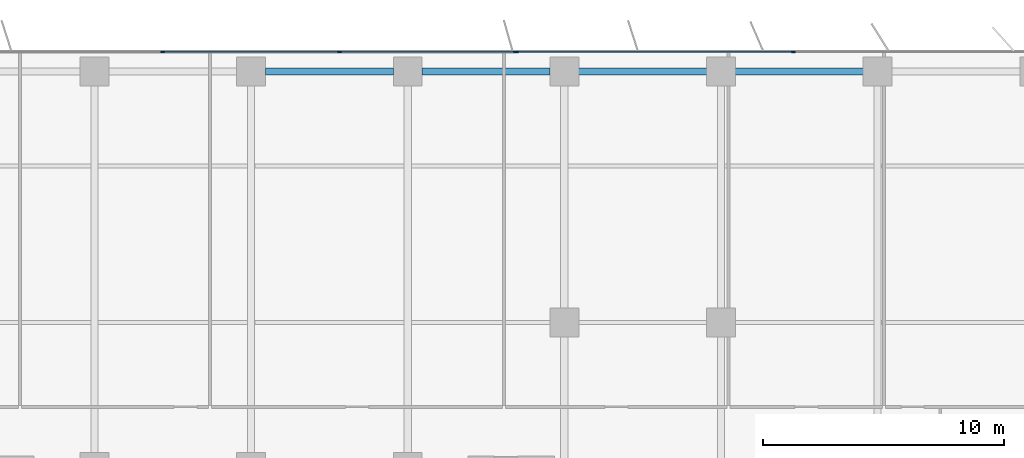
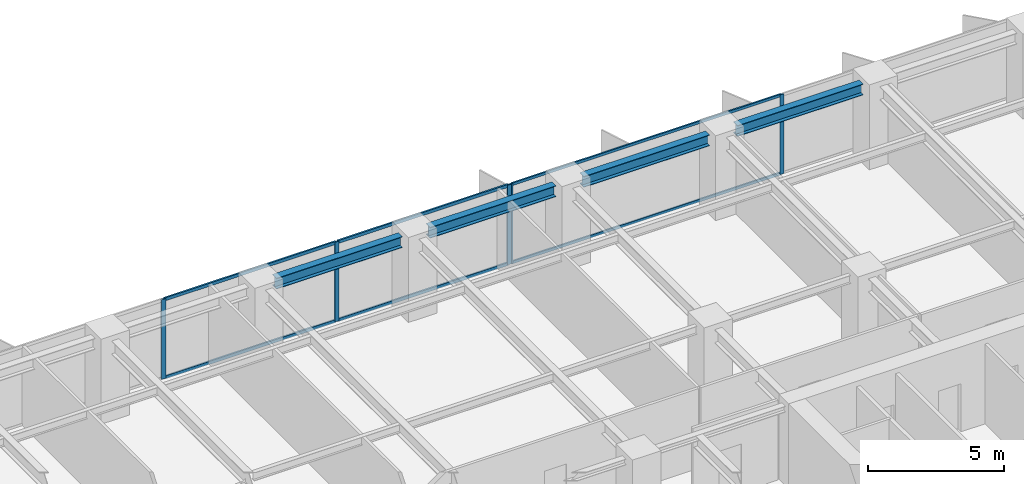
# One storey, part 9 of 20: 11 members, 4 beams, 2 elements without a shape of their own.
"""IFC4 building model written with IfcOpenShell, lengths in metres."""

from ifc_helpers import new_model, si_unit, direction, frame, origin, origin_2d, place, context, subcontext, project, spatial, rectangle, i_section, extrude, material, layer, layer_set, material_profile, profile_set, type_object, element, aggregate, save


model = new_model("IFC4")

# Units and contexts
model_context = context("Model", 3, precision=1e-05, world=origin(), true_north=direction((0.0, 1.0)))
body_context = subcontext(model_context, "Body", "Model", "MODEL_VIEW")
ifc_project = project(units=[si_unit("LENGTHUNIT", "METRE"), si_unit("AREAUNIT", "SQUARE_METRE"), si_unit("VOLUMEUNIT", "CUBIC_METRE"), si_unit("PLANEANGLEUNIT", "RADIAN"), si_unit("MASSUNIT", "GRAM", prefix="KILO")], contexts=[model_context])

# Site, building, storey
site_placement = place(None, origin())
site = spatial("IfcSite", under=ifc_project, at=site_placement, CompositionType="ELEMENT")
building_placement = place(site_placement, origin())
building = spatial("IfcBuilding", under=site, at=building_placement, Name="Putna Gate Headquarters", CompositionType="ELEMENT")
storey_placement = place(building_placement, frame((0.0, 0.0, 124.0)))
storey = spatial("IfcBuildingStorey", under=building, at=storey_placement, Name="L30", CompositionType="ELEMENT", Elevation=124.0)

# Beams
ifc_material_1 = material(Name="Steel S355J2", Category="steel")
ifc_material_profile_1 = material_profile(ifc_material_1, i_section(OverallWidth=0.300048828125, OverallDepth=0.489990234375, WebThickness=0.011962890625, FlangeThickness=0.02294921875, at=origin_2d()), Name="Steel S355J2")
ifc_profile_set_1 = profile_set([ifc_material_profile_1], Name="Steel S355J2")
beam_type = type_object("IfcBeamType", Name="BM-SPAN-Z2-HEA500", PredefinedType="SPANDREL", material=ifc_profile_set_1)
for number, where, z_axis, x_axis, name in (
    (1, (39.587890625, 49.419921875, 3.320068359375), (1.0, 0.0, 0.0), (0.0, 1.0, 0.0), "L30 N Perimeter Spandrel 6"),
    (2, (46.087890625, 49.419921875, 3.320068359375), (1.0, 0.0, 0.0), (0.0, 1.0, 0.0), "L30 N Perimeter Spandrel 7"),
    (3, (52.587890625, 49.419921875, 3.320068359375), (1.0, 0.0, 0.0), (0.0, 1.0, 0.0), "L30 N Perimeter Spandrel 8"),
    (4, (59.087890625, 49.419921875, 3.320068359375), (1.0, 0.0, 0.0), (0.0, 1.0, 0.0), "L30 N Perimeter Spandrel 9"),
):
    element("IfcBeam", number, at=place(storey_placement, frame(where, z_axis=z_axis, x_axis=x_axis)), inside=storey, type_object=beam_type, Name=name, PredefinedType="SPANDREL", context=body_context, shape_type="SweptSolid", body=[
        extrude(i_section(OverallWidth=0.300048828125, OverallDepth=0.489990234375, WebThickness=0.011962890625, FlangeThickness=0.02294921875, at=origin_2d()), origin(), (0.0, 0.0, 1.0), 5.32421875),
    ])

# Curtain wall, members
ifc_material_2 = material(Name="Anodised bronze aluminium curtain wall", Category="aluminium")
ifc_layer_1 = layer(ifc_material_2, 0.159912109375)
ifc_layer_set_1 = layer_set([ifc_layer_1], Name="Anodised bronze aluminium curtain wall")
curtain_wall_type_1 = type_object("IfcCurtainWallType", Name="CW-SYS-Z2", PredefinedType="USERDEFINED", material=ifc_layer_set_1)
curtain_wall_1_placement = place(storey_placement, origin())
curtain_wall_1 = element("IfcCurtainWall", 5, at=curtain_wall_1_placement, inside=storey, type_object=curtain_wall_type_1, Name="L30 North East Curtain Wall", ObjectType="STICK CURTAIN WALL", PredefinedType="USERDEFINED")
ifc_material_3 = material(Name="Anodised bronze aluminium EN AW-6060", Category="aluminium")
ifc_material_profile_2 = material_profile(ifc_material_3, rectangle(XDim=0.06494140625, YDim=0.159912109375, at=origin_2d()), Name="Anodised bronze aluminium EN AW-6060")
ifc_profile_set_2 = profile_set([ifc_material_profile_2], Name="Anodised bronze aluminium EN AW-6060")
member_type_1 = type_object("IfcMemberType", Name="MULL-CWM-2", PredefinedType="MULLION", material=ifc_profile_set_2)
member_1_placement = place(storey_placement, frame((50.032470703125, 50.219970703125, 0.0), z_axis=(0.0, 0.0, 1.0), x_axis=(0.0, 1.0, 0.0)))
member_1 = element("IfcMember", 6, at=member_1_placement, type_object=member_type_1, Name="CWS-2 mullion 1", PredefinedType="MULLION", context=body_context, shape_type="SweptSolid", body=[
    extrude(rectangle(XDim=0.06494140625, YDim=0.159912109375, at=origin_2d()), origin(), (0.0, 0.0, 1.0), 3.56494140625),
])
member_2_placement = place(storey_placement, frame((61.5, 50.219970703125, 0.0), z_axis=(0.0, 0.0, 1.0), x_axis=(0.0, 1.0, 0.0)))
member_2 = element("IfcMember", 7, at=member_2_placement, type_object=member_type_1, Name="CWS-2 mullion 2", PredefinedType="MULLION", context=body_context, shape_type="SweptSolid", body=[
    extrude(rectangle(XDim=0.06494140625, YDim=0.159912109375, at=origin_2d()), origin(), (0.0, 0.0, 1.0), 3.56494140625),
])

ifc_layer_2 = layer(ifc_material_2, 0.179931640625)
ifc_layer_set_2 = layer_set([ifc_layer_2], Name="Anodised bronze aluminium curtain wall")
curtain_wall_type_2 = type_object("IfcCurtainWallType", Name="CW-SYS-ATR", PredefinedType="USERDEFINED", material=ifc_layer_set_2)
curtain_wall_2_placement = place(storey_placement, origin())
curtain_wall_2 = element("IfcCurtainWall", 8, at=curtain_wall_2_placement, inside=storey, type_object=curtain_wall_type_2, Name="L30 North Atrium Clear Glazing", ObjectType="ATRIUM GLAZING", PredefinedType="USERDEFINED")
ifc_material_profile_3 = material_profile(ifc_material_3, rectangle(XDim=0.070068359375, YDim=0.179931640625, at=origin_2d()), Name="Anodised bronze aluminium EN AW-6060")
ifc_profile_set_3 = profile_set([ifc_material_profile_3], Name="Anodised bronze aluminium EN AW-6060")
member_type_2 = type_object("IfcMemberType", Name="MULL-CWM-AT", PredefinedType="MULLION", material=ifc_profile_set_3)
member_3_placement = place(storey_placement, frame((35.333251953125, 50.219970703125, 0.0), z_axis=(0.0, 0.0, 1.0), x_axis=(0.0, 1.0, 0.0)))
member_3 = element("IfcMember", 9, at=member_3_placement, type_object=member_type_2, Name="CWS-AT mullion 2", PredefinedType="MULLION", context=body_context, shape_type="SweptSolid", body=[
    extrude(rectangle(XDim=0.070068359375, YDim=0.179931640625, at=origin_2d()), origin(), (0.0, 0.0, 1.0), 3.56494140625),
])
member_4_placement = place(storey_placement, frame((42.666748046875, 50.219970703125, 0.0), z_axis=(0.0, 0.0, 1.0), x_axis=(0.0, 1.0, 0.0)))
member_4 = element("IfcMember", 10, at=member_4_placement, type_object=member_type_2, Name="CWS-AT mullion 3", PredefinedType="MULLION", context=body_context, shape_type="SweptSolid", body=[
    extrude(rectangle(XDim=0.070068359375, YDim=0.179931640625, at=origin_2d()), origin(), (0.0, 0.0, 1.0), 3.56494140625),
])
member_5_placement = place(storey_placement, frame((49.965087890625, 50.219970703125, 0.0), z_axis=(0.0, 0.0, 1.0), x_axis=(0.0, 1.0, 0.0)))
member_5 = element("IfcMember", 11, at=member_5_placement, type_object=member_type_2, Name="CWS-AT mullion 4", PredefinedType="MULLION", context=body_context, shape_type="SweptSolid", body=[
    extrude(rectangle(XDim=0.070068359375, YDim=0.179931640625, at=origin_2d()), origin(), (0.0, 0.0, 1.0), 3.56494140625),
])

# Member
ifc_material_profile_4 = material_profile(ifc_material_3, rectangle(XDim=0.06494140625, YDim=0.1201171875, at=origin_2d()), Name="Anodised bronze aluminium EN AW-6060")
ifc_profile_set_4 = profile_set([ifc_material_profile_4], Name="Anodised bronze aluminium EN AW-6060")
member_type_3 = type_object("IfcMemberType", Name="TRAN-CWT-2", PredefinedType="USERDEFINED", material=ifc_profile_set_4)
member_6_placement = place(storey_placement, frame((50.06494140625, 50.219970703125, 0.032470703125), z_axis=(1.0, 0.0, 0.0), x_axis=(0.0, 1.0, 0.0)))
member_6 = element("IfcMember", 12, at=member_6_placement, type_object=member_type_3, Name="CWS-2 transom 1.1", ObjectType="TRANSOM", PredefinedType="USERDEFINED", context=body_context, shape_type="SweptSolid", body=[
    extrude(rectangle(XDim=0.06494140625, YDim=0.1201171875, at=origin_2d()), origin(), (0.0, 0.0, 1.0), 11.402587890625),
])

member_7_placement = place(storey_placement, frame((50.06494140625, 50.219970703125, 3.532470703125), z_axis=(1.0, 0.0, 0.0), x_axis=(0.0, 1.0, 0.0)))
member_7 = element("IfcMember", 13, at=member_7_placement, type_object=member_type_3, Name="CWS-2 transom 1.2", ObjectType="TRANSOM", PredefinedType="USERDEFINED", context=body_context, shape_type="SweptSolid", body=[
    extrude(rectangle(XDim=0.06494140625, YDim=0.1201171875, at=origin_2d()), origin(), (0.0, 0.0, 1.0), 11.402587890625),
])

aggregate(curtain_wall_1, [member_1, member_2, member_6, member_7])

ifc_material_profile_5 = material_profile(ifc_material_3, rectangle(XDim=0.070068359375, YDim=0.139892578125, at=origin_2d()), Name="Anodised bronze aluminium EN AW-6060")
ifc_profile_set_5 = profile_set([ifc_material_profile_5], Name="Anodised bronze aluminium EN AW-6060")
member_type_4 = type_object("IfcMemberType", Name="TRAN-CWT-AT", PredefinedType="USERDEFINED", material=ifc_profile_set_5)
member_8_placement = place(storey_placement, frame((35.368408203125, 50.219970703125, 0.034912109375), z_axis=(1.0, 0.0, 0.0), x_axis=(0.0, 1.0, 0.0)))
member_8 = element("IfcMember", 14, at=member_8_placement, type_object=member_type_4, Name="CWS-AT transom 2.1", ObjectType="TRANSOM", PredefinedType="USERDEFINED", context=body_context, shape_type="SweptSolid", body=[
    extrude(rectangle(XDim=0.070068359375, YDim=0.139892578125, at=origin_2d()), origin(), (0.0, 0.0, 1.0), 7.26318359375),
])

member_9_placement = place(storey_placement, frame((35.368408203125, 50.219970703125, 3.530029296875), z_axis=(1.0, 0.0, 0.0), x_axis=(0.0, 1.0, 0.0)))
member_9 = element("IfcMember", 15, at=member_9_placement, type_object=member_type_4, Name="CWS-AT transom 2.2", ObjectType="TRANSOM", PredefinedType="USERDEFINED", context=body_context, shape_type="SweptSolid", body=[
    extrude(rectangle(XDim=0.070068359375, YDim=0.139892578125, at=origin_2d()), origin(), (0.0, 0.0, 1.0), 7.26318359375),
])

member_10_placement = place(storey_placement, frame((42.70166015625, 50.219970703125, 0.034912109375), z_axis=(1.0, 0.0, 0.0), x_axis=(0.0, 1.0, 0.0)))
member_10 = element("IfcMember", 16, at=member_10_placement, type_object=member_type_4, Name="CWS-AT transom 3.1", ObjectType="TRANSOM", PredefinedType="USERDEFINED", context=body_context, shape_type="SweptSolid", body=[
    extrude(rectangle(XDim=0.070068359375, YDim=0.139892578125, at=origin_2d()), origin(), (0.0, 0.0, 1.0), 7.228271484375),
])

member_11_placement = place(storey_placement, frame((42.70166015625, 50.219970703125, 3.530029296875), z_axis=(1.0, 0.0, 0.0), x_axis=(0.0, 1.0, 0.0)))
member_11 = element("IfcMember", 17, at=member_11_placement, type_object=member_type_4, Name="CWS-AT transom 3.2", ObjectType="TRANSOM", PredefinedType="USERDEFINED", context=body_context, shape_type="SweptSolid", body=[
    extrude(rectangle(XDim=0.070068359375, YDim=0.139892578125, at=origin_2d()), origin(), (0.0, 0.0, 1.0), 7.228271484375),
])

aggregate(curtain_wall_2, [member_3, member_4, member_5, member_8, member_9, member_10, member_11])

save(model, "model.ifc")
